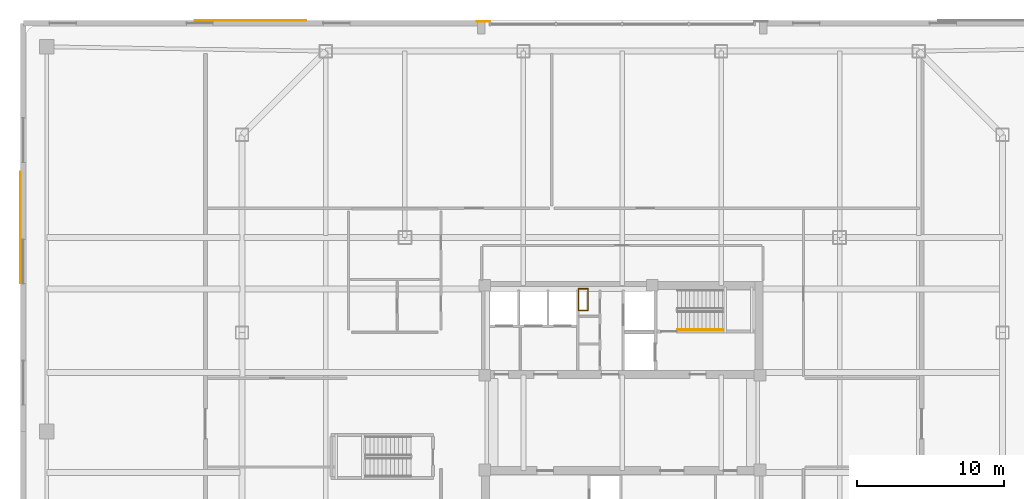
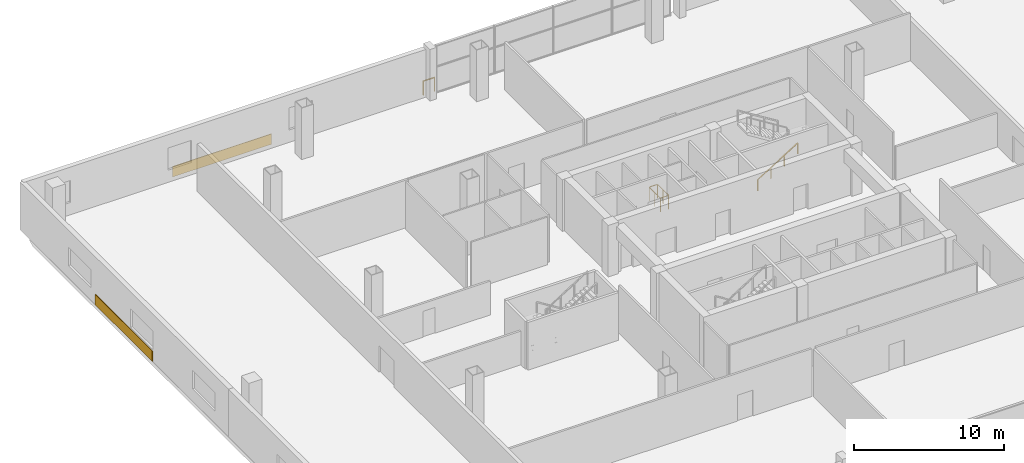
# One storey, part 19 of 21: 3 railings, 2 coverings.
"""IFC4 building model written with IfcOpenShell, lengths in metres."""

from ifc_helpers import new_model, si_unit, direction, frame, origin, origin_2d, place, context, subcontext, project, spatial, rectangle, extrude, material, layer, layer_set, type_object, element, save


model = new_model("IFC4")

# Units and contexts
model_context = context("Model", 3, precision=1e-05, world=origin(), true_north=direction((0.0, 1.0)))
body_context = subcontext(model_context, "Body", "Model", "MODEL_VIEW")
ifc_project = project(units=[si_unit("LENGTHUNIT", "METRE"), si_unit("AREAUNIT", "SQUARE_METRE"), si_unit("VOLUMEUNIT", "CUBIC_METRE"), si_unit("PLANEANGLEUNIT", "RADIAN"), si_unit("MASSUNIT", "GRAM", prefix="KILO")], contexts=[model_context])

# Site, building, storey
site_placement = place(None, origin())
site = spatial("IfcSite", under=ifc_project, at=site_placement, CompositionType="ELEMENT")
building_placement = place(site_placement, origin())
building = spatial("IfcBuilding", under=site, at=building_placement, Name="Qhalaya Broadcast Tower", CompositionType="ELEMENT")
storey_placement = place(building_placement, frame((0.0, 0.0, 13.5)))
storey = spatial("IfcBuildingStorey", under=building, at=storey_placement, Name="L03", CompositionType="ELEMENT", Elevation=13.5)

# Coverings
ifc_material_1 = material(Name="Fired Architectural Terracotta", Category="masonry")
ifc_layer = layer(ifc_material_1, 0.044921875, Name="Fired Architectural Terracotta")
ifc_layer_set = layer_set([ifc_layer], Name="Fired Architectural Terracotta")
covering_type = type_object("IfcCoveringType", Name="Polychrome Terracotta Rainscreen Cladding CLD-01", PredefinedType="CLADDING", material=ifc_layer_set)
for number, where, z_axis, x_axis, name in (
    (1, (-25.320068359375, 28.0, 0.02490234375), (0.0, 0.0, 1.0), (1.0, 0.0, 0.0), "L03 Terracotta Spandrel Cladding EW-NW"),
    (2, (-41.0, 13.89990234375, 0.02490234375), (0.0, 0.0, 1.0), (0.0, 1.0, 0.0), "L03 Terracotta Spandrel Cladding EW-WN"),
):
    element("IfcCovering", number, at=place(storey_placement, frame(where, z_axis=z_axis, x_axis=x_axis)), inside=storey, type_object=covering_type, Name=name, PredefinedType="CLADDING", context=body_context, shape_type="SweptSolid", body=[
        extrude(rectangle(XDim=7.60009765625, YDim=0.044921875, at=origin_2d()), origin(), (0.0, 0.0, 1.0), 0.85009765625),
    ])

# Railings
ifc_material_2 = material(Name="Powder-Coated Galvanised Steel", Category="steel")
railing_type_1 = type_object("IfcRailingType", Name="Stair Wall Handrail 900", PredefinedType="HANDRAIL", material=ifc_material_2)
railing_1_placement = place(storey_placement, frame((3.75, 6.929931640625, 0.175048828125)))
element("IfcRailing", 3, at=railing_1_placement, inside=storey, type_object=railing_type_1, Name="L03 ST-1 Stair Handrail 1", PredefinedType="HANDRAIL", context=body_context, shape_type="SweptSolid", body=[
    extrude(rectangle(XDim=0.048095703125, YDim=0.048095703125, at=origin_2d()), frame((0.0, 0.0, 0.8759765625), z_axis=(0.847998304005, 0.0, 0.529998940003), x_axis=(0.0, 1.0, 0.0)), (0.0, 0.0, 1.0), 3.632080078125),
    extrude(rectangle(XDim=0.0419921875, YDim=0.0419921875, at=origin_2d()), origin(), (0.0, 0.0, 1.0), 0.849853515625),
    extrude(rectangle(XDim=0.0419921875, YDim=0.0419921875, at=origin_2d()), frame((1.026611328125, 0.0, 0.6416015625)), (0.0, 0.0, 1.0), 0.849853515625),
    extrude(rectangle(XDim=0.0419921875, YDim=0.0419921875, at=origin_2d()), frame((2.053466796875, 0.0, 1.283447265625)), (0.0, 0.0, 1.0), 0.849853515625),
    extrude(rectangle(XDim=0.0419921875, YDim=0.0419921875, at=origin_2d()), frame((3.080078125, 0.0, 1.925048828125)), (0.0, 0.0, 1.0), 0.849853515625),
])
railing_type_2 = type_object("IfcRailingType", Name="Stair Well & Landing Guardrail 1100", PredefinedType="GUARDRAIL", material=ifc_material_2)
railing_2_placement = place(storey_placement, frame((-2.340087890625, 8.239990234375, 0.0)))
element("IfcRailing", 4, at=railing_2_placement, inside=storey, type_object=railing_type_2, Name="L03 Service Riser Opening Safety Guard NRSR", PredefinedType="GUARDRAIL", context=body_context, shape_type="SweptSolid", body=[
    extrude(rectangle(XDim=0.048095703125, YDim=0.048095703125, at=origin_2d()), frame((0.0, 0.02880859375, 1.1259765625), z_axis=(0.0, 1.0, 0.0), x_axis=(-1.0, 0.0, 0.0)), (0.0, 0.0, 1.0), 1.42236328125),
    extrude(rectangle(XDim=0.048095703125, YDim=0.048095703125, at=origin_2d()), frame((-0.02880859375, 1.47998046875, 1.1259765625), z_axis=(-1.0, 0.0, 0.0), x_axis=(0.0, -1.0, 0.0)), (0.0, 0.0, 1.0), 0.582275390625),
    extrude(rectangle(XDim=0.048095703125, YDim=0.048095703125, at=origin_2d()), frame((-0.639892578125, 1.451171875, 1.1259765625), z_axis=(0.0, -1.0, 0.0), x_axis=(1.0, 0.0, 0.0)), (0.0, 0.0, 1.0), 1.42236328125),
    extrude(rectangle(XDim=0.048095703125, YDim=0.048095703125, at=origin_2d()), frame((-0.611083984375, 0.0, 1.1259765625), z_axis=(1.0, 0.0, 0.0), x_axis=(0.0, 1.0, 0.0)), (0.0, 0.0, 1.0), 0.582275390625),
    extrude(rectangle(XDim=0.0419921875, YDim=0.0419921875, at=origin_2d()), origin(), (0.0, 0.0, 1.0), 1.099853515625),
    extrude(rectangle(XDim=0.0419921875, YDim=0.0419921875, at=origin_2d()), frame((0.0, 0.739990234375, 0.0)), (0.0, 0.0, 1.0), 1.099853515625),
    extrude(rectangle(XDim=0.0419921875, YDim=0.0419921875, at=origin_2d()), frame((0.0, 1.47998046875, 0.0)), (0.0, 0.0, 1.0), 1.099853515625),
    extrude(rectangle(XDim=0.0419921875, YDim=0.0419921875, at=origin_2d()), frame((-0.639892578125, 1.47998046875, 0.0)), (0.0, 0.0, 1.0), 1.099853515625),
    extrude(rectangle(XDim=0.0419921875, YDim=0.0419921875, at=origin_2d()), frame((-0.639892578125, 0.739990234375, 0.0)), (0.0, 0.0, 1.0), 1.099853515625),
    extrude(rectangle(XDim=0.0419921875, YDim=0.0419921875, at=origin_2d()), frame((-0.639892578125, 0.0, 0.0)), (0.0, 0.0, 1.0), 1.099853515625),
])
railing_type_3 = type_object("IfcRailingType", Name="Terrace, Sky-Pool & Lookout Glass Balustrade 1150", PredefinedType="BALUSTRADE", material=ifc_material_2)
railing_3_placement = place(storey_placement, frame((-9.8798828125, 27.919921875, 0.0)))
element("IfcRailing", 5, at=railing_3_placement, inside=storey, type_object=railing_type_3, Name="L03 Concourse Portal Shoulder Safety Balustrade PNW", PredefinedType="BALUSTRADE", context=body_context, shape_type="SweptSolid", body=[
    extrude(rectangle(XDim=0.048095703125, YDim=0.048095703125, at=origin_2d()), frame((0.0, 0.0, 1.1259765625), z_axis=(1.0, 0.0, 0.0), x_axis=(0.0, 1.0, 0.0)), (0.0, 0.0, 1.0), 0.8798828125),
    extrude(rectangle(XDim=0.0419921875, YDim=0.0419921875, at=origin_2d()), origin(), (0.0, 0.0, 1.0), 1.099853515625),
    extrude(rectangle(XDim=0.0419921875, YDim=0.0419921875, at=origin_2d()), frame((0.8798828125, 0.0, 0.0)), (0.0, 0.0, 1.0), 1.099853515625),
])

save(model, "model.ifc")
